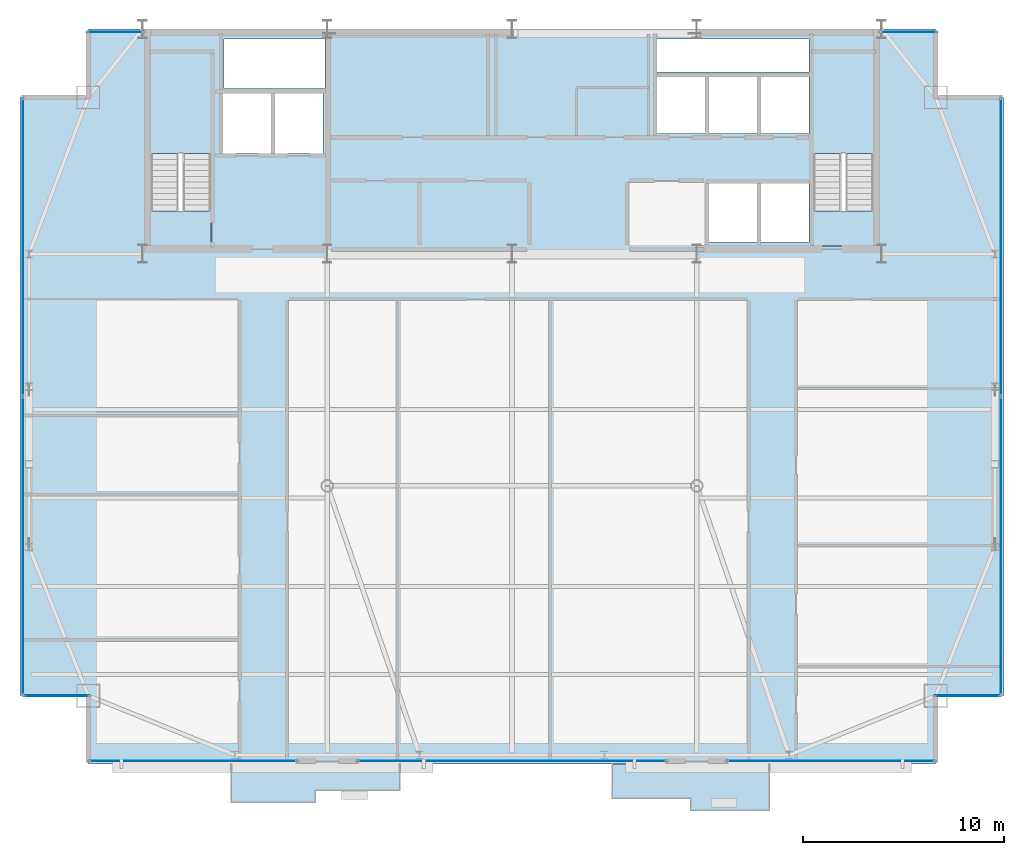
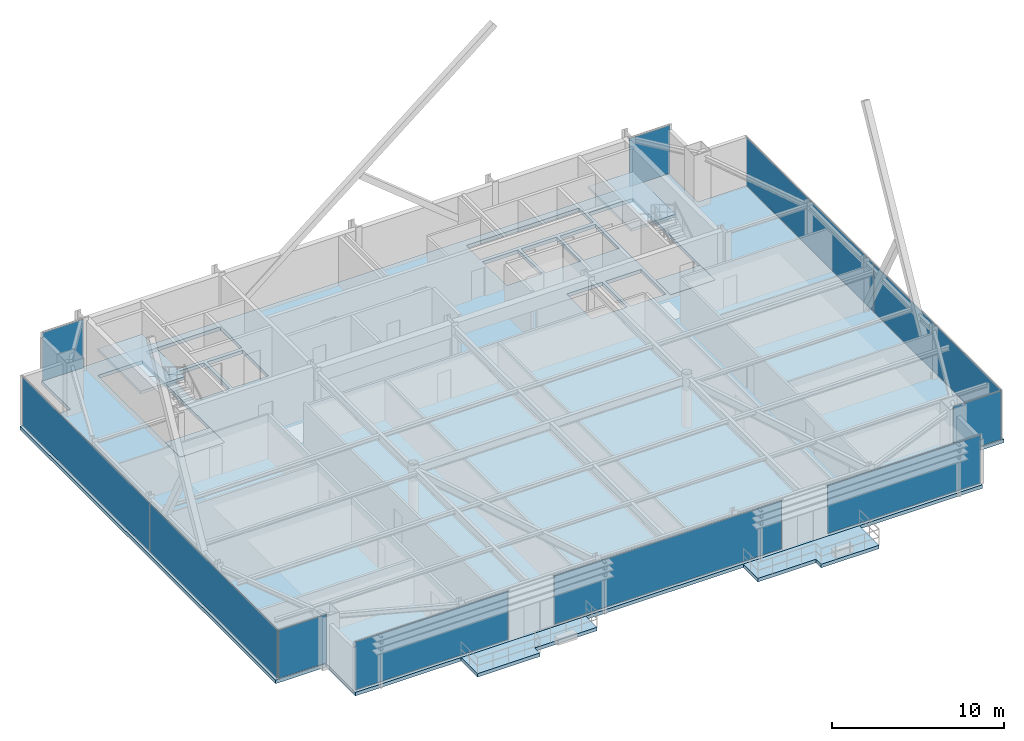
# One storey, part 24 of 31: 11 plates, 7 slabs, 11 elements without a shape of their own.
"""IFC4 building model written with IfcOpenShell, lengths in metres."""

import ifcopenshell
import ifcopenshell.guid

model = None  # the IFC model being written
_history = None  # IfcOwnerHistory: only IFC2X3 demands one
_inside = {}  # id of a spatial element -> (the spatial element, [elements in it])
_under = {}  # id of a project, library or spatial element -> (it, [spatial elements below it])
_declared = {}  # id of a project -> (the project, [libraries it declares])
_typed = {}  # id of a type object -> (the type object, [elements of that type])
_made_of = {}  # id of a material, layer set ... -> (it, [elements and type objects made of it])


def new_model(schema):
    """Start an empty IFC model of exactly this schema.

    Asked for "IFC4X3", IfcOpenShell would pick the latest addendum, in which some entities
    have other attributes; the version numbers below select the first issue.
    IFC2X3 requires an IfcOwnerHistory on every rooted entity: one is made here for all.
    """
    global model, _history
    if schema == "IFC4X3":
        model = ifcopenshell.file(schema_version=(4, 3, 0, 0))
    else:
        model = ifcopenshell.file(schema=schema)
    _inside.clear()
    _under.clear()
    _declared.clear()
    _typed.clear()
    _made_of.clear()
    _history = None
    if model.schema == "IFC2X3":
        org = make("IfcOrganization", Name="unknown")
        user = make(
            "IfcPersonAndOrganization",
            ThePerson=make("IfcPerson", FamilyName="unknown"),
            TheOrganization=org,
        )
        app = make(
            "IfcApplication",
            ApplicationDeveloper=org,
            Version="unknown",
            ApplicationFullName="unknown",
            ApplicationIdentifier="unknown",
        )
        _history = make(
            "IfcOwnerHistory",
            OwningUser=user,
            OwningApplication=app,
            ChangeAction="ADDED",
            CreationDate=0,
        )
    return model


def make(cls, **values):
    """One entity of the class cls with the attributes given. An attribute that is None is left unset."""
    return model.create_entity(
        cls, **{name: value for name, value in values.items() if value is not None}
    )


def rooted(cls, **values):
    """An entity with a GlobalId (a new one), such as an element, a storey or a relation."""
    return make(cls, GlobalId=ifcopenshell.guid.new(), OwnerHistory=_history, **values)


def si_unit(unit_type, name, prefix=None):
    """IfcSIUnit, for example si_unit("LENGTHUNIT", "METRE", prefix="MILLI")."""
    return make("IfcSIUnit", UnitType=unit_type, Prefix=prefix, Name=name)


def assignment(units):
    """IfcUnitAssignment: the units of a project."""
    return None if units is None else make("IfcUnitAssignment", Units=units)


def point(xyz):
    """IfcCartesianPoint."""
    return None if xyz is None else make("IfcCartesianPoint", Coordinates=xyz)


def direction(xyz):
    """IfcDirection."""
    return None if xyz is None else make("IfcDirection", DirectionRatios=xyz)


def frame(location, z_axis=None, x_axis=None):
    """IfcAxis2Placement3D, a coordinate frame: its origin and axes. An axis left out is left unset."""
    return make(
        "IfcAxis2Placement3D",
        Location=point(location),
        Axis=direction(z_axis),
        RefDirection=direction(x_axis),
    )


def frame_2d(location, x_axis=None):
    """IfcAxis2Placement2D, a coordinate frame in the plane: its origin and x axis."""
    return make(
        "IfcAxis2Placement2D", Location=point(location), RefDirection=direction(x_axis)
    )


def origin():
    """The frame at (0, 0, 0) with its axes left unset."""
    return frame((0.0, 0.0, 0.0))


def origin_2d():
    """The frame at (0, 0) in the plane with its x axis left unset."""
    return frame_2d((0.0, 0.0))


def place(relative_to, where):
    """IfcLocalPlacement: puts the frame where relative to a parent placement (None: the world)."""
    return make(
        "IfcLocalPlacement", PlacementRelTo=relative_to, RelativePlacement=where
    )


def context(
    kind, dimensions, precision=None, world=None, true_north=None, identifier=None
):
    """IfcGeometricRepresentationContext, for example the 3D "Model" context."""
    return make(
        "IfcGeometricRepresentationContext",
        ContextIdentifier=identifier,
        ContextType=kind,
        CoordinateSpaceDimension=dimensions,
        Precision=precision,
        WorldCoordinateSystem=world,
        TrueNorth=true_north,
    )


def subcontext(parent, identifier, kind, view, scale=None):
    """IfcGeometricRepresentationSubContext, for example "Body" below "Model"."""
    return make(
        "IfcGeometricRepresentationSubContext",
        ContextIdentifier=identifier,
        ContextType=kind,
        ParentContext=parent,
        TargetScale=scale,
        TargetView=view,
    )


def project(units=None, contexts=None):
    """IfcProject with its units and contexts."""
    return rooted(
        "IfcProject",
        Name="project",
        RepresentationContexts=contexts,
        UnitsInContext=assignment(units),
    )


def spatial(cls, under=None, at=None, **own):
    """A site, building, storey or space (cls), placed at a placement, below another one or the project."""
    s = rooted(cls, ObjectPlacement=at, **own)
    if under is not None:
        _under.setdefault(under.id(), (under, []))[1].append(s)
    return s


def polyline(points):
    """IfcPolyline through the points."""
    return make("IfcPolyline", Points=[point(p) for p in points])


def profile(cls, at=None, kind="AREA", **sizes):
    """A parametric profile (cls). Its sizes go by their IFC names, for example OverallWidth=200.0."""
    return make(cls, ProfileType=kind, Position=at, **sizes)


def rectangle(**sizes):
    """IfcRectangleProfileDef."""
    return profile("IfcRectangleProfileDef", **sizes)


def outline(outer, holes=None, kind="AREA"):
    """IfcArbitraryClosedProfileDef: a profile drawn as a closed curve; with holes, ...WithVoids."""
    if holes is None:
        return make("IfcArbitraryClosedProfileDef", ProfileType=kind, OuterCurve=outer)
    return make(
        "IfcArbitraryProfileDefWithVoids",
        ProfileType=kind,
        OuterCurve=outer,
        InnerCurves=holes,
    )


def extrude(swept, where, along, depth):
    """IfcExtrudedAreaSolid: the profile swept, set in the frame where, extruded along a direction by depth."""
    return make(
        "IfcExtrudedAreaSolid",
        SweptArea=swept,
        Position=where,
        ExtrudedDirection=direction(along),
        Depth=depth,
    )


def shape(context_of_items, identifier, shape_type, items):
    """IfcShapeRepresentation: the items that make up one representation, for example the "Body"."""
    return make(
        "IfcShapeRepresentation",
        ContextOfItems=context_of_items,
        RepresentationIdentifier=identifier,
        RepresentationType=shape_type,
        Items=items,
    )


def source(mapping_origin, context_of_items, identifier, shape_type, items):
    """IfcRepresentationMap: a shape defined once, which mapped items show again and again."""
    return make(
        "IfcRepresentationMap",
        MappingOrigin=mapping_origin,
        MappedRepresentation=shape(context_of_items, identifier, shape_type, items),
    )


def transform(
    local_origin,
    x_axis=None,
    y_axis=None,
    z_axis=None,
    scale=None,
    scale2=None,
    scale3=None,
    uniform=True,
):
    """IfcCartesianTransformationOperator3D, or its non-uniform kind. x_axis, y_axis, z_axis: its Axis1, 2, 3."""
    if uniform:
        return make(
            "IfcCartesianTransformationOperator3D",
            Axis1=direction(x_axis),
            Axis2=direction(y_axis),
            LocalOrigin=point(local_origin),
            Scale=scale,
            Axis3=direction(z_axis),
        )
    return make(
        "IfcCartesianTransformationOperator3DnonUniform",
        Axis1=direction(x_axis),
        Axis2=direction(y_axis),
        LocalOrigin=point(local_origin),
        Scale=scale,
        Axis3=direction(z_axis),
        Scale2=scale2,
        Scale3=scale3,
    )


def mapped(mapping_source, mapping_target):
    """IfcMappedItem: shows the shape of a source again, moved by a transform."""
    return make(
        "IfcMappedItem", MappingSource=mapping_source, MappingTarget=mapping_target
    )


def material(Name=None, Category=None):
    """IfcMaterial."""
    return make("IfcMaterial", Name=Name, Category=Category)


def layer(
    of_material, thickness, ventilated=None, Name=None, Category=None, Priority=None
):
    """IfcMaterialLayer: one layer of a wall or slab, of a material (None: an air gap)."""
    return make(
        "IfcMaterialLayer",
        Material=of_material,
        LayerThickness=thickness,
        IsVentilated=ventilated,
        Name=Name,
        Category=Category,
        Priority=Priority,
    )


def layer_set(layers, Name=None):
    """IfcMaterialLayerSet."""
    return make("IfcMaterialLayerSet", MaterialLayers=layers, LayerSetName=Name)


def made_of(thing, what):
    """Note that an element or type object is made of a material, layer set ...; save() writes the relation."""
    if what is not None:
        _made_of.setdefault(what.id(), (what, []))[1].append(thing)
    return thing


def type_object(cls, material=None, **own):
    """A type object (cls), such as IfcWallType, which elements share."""
    return made_of(rooted(cls, **own), material)


def type_shapes(of_type, sources):
    """Give a type object the sources (RepresentationMaps) that its elements show as mapped items."""
    of_type.RepresentationMaps = sources


def element(
    cls,
    number,
    at=None,
    inside=None,
    cuts=None,
    type_object=None,
    material=None,
    context=None,
    identifier="Body",
    shape_type=None,
    held_by="IfcProductDefinitionShape",
    body=None,
    shapes=None,
    **own,
):
    """One element of the class cls, such as IfcWall. Its Tag is "e" and its number.

    at: its placement. inside: the storey or other place that contains it. cuts: it is an
    opening in that element (IfcRelVoidsElement). A single representation is given by context,
    identifier, shape_type and body (its items); several are given by shapes. held_by: the class
    of the entity that holds the representations. save() writes the other relations.
    """
    e = rooted(cls, Tag="e%d" % number, ObjectPlacement=at, **own)
    if body is not None:
        shapes = [shape(context, identifier, shape_type, body)]
    if shapes is not None:
        e.Representation = make(held_by, Representations=shapes)
    if inside is not None:
        _inside.setdefault(inside.id(), (inside, []))[1].append(e)
    if cuts is not None:
        rooted(
            "IfcRelVoidsElement", RelatingBuildingElement=cuts, RelatedOpeningElement=e
        )
    if type_object is not None:
        _typed.setdefault(type_object.id(), (type_object, []))[1].append(e)
    return made_of(e, material)


def aggregate(whole, parts):
    """IfcRelAggregates: a whole, such as a stair, and the parts it consists of."""
    return rooted("IfcRelAggregates", RelatingObject=whole, RelatedObjects=parts)


def save(model, path):
    """Write the relations noted so far, then the file.

    IfcRelAggregates (storeys below a building ...), IfcRelContainedInSpatialStructure (elements
    in a storey), IfcRelDefinesByType, IfcRelAssociatesMaterial and IfcRelDeclares: one each for
    every whole, place, type object, material and project.
    """
    for whole, parts in _under.values():
        aggregate(whole, parts)
    for where, things in _inside.values():
        rooted(
            "IfcRelContainedInSpatialStructure",
            RelatedElements=things,
            RelatingStructure=where,
        )
    for kind, things in _typed.values():
        rooted("IfcRelDefinesByType", RelatedObjects=things, RelatingType=kind)
    for what, things in _made_of.values():
        rooted("IfcRelAssociatesMaterial", RelatedObjects=things, RelatingMaterial=what)
    for by, libraries in _declared.values():
        rooted("IfcRelDeclares", RelatingContext=by, RelatedDefinitions=libraries)
    model.write(path)


model = new_model("IFC4")

# Units and contexts
model_context = context("Model", 3, precision=1e-05, world=origin(), true_north=direction((0.0, 1.0)))
body_context = subcontext(model_context, "Body", "Model", "MODEL_VIEW")
ifc_project = project(units=[si_unit("LENGTHUNIT", "METRE"), si_unit("AREAUNIT", "SQUARE_METRE"), si_unit("VOLUMEUNIT", "CUBIC_METRE"), si_unit("PLANEANGLEUNIT", "RADIAN"), si_unit("MASSUNIT", "GRAM", prefix="KILO")], contexts=[model_context])

# Site, building, storey
site_placement = place(None, origin())
site = spatial("IfcSite", under=ifc_project, at=site_placement, CompositionType="ELEMENT")
building_placement = place(site_placement, origin())
building = spatial("IfcBuilding", under=site, at=building_placement, Name="Varnel Quay Broadcast Tower", CompositionType="ELEMENT")
storey_placement = place(building_placement, frame((0.0, 0.0, 215.0)))
storey = spatial("IfcBuildingStorey", under=building, at=storey_placement, Name="L53", CompositionType="ELEMENT", Elevation=215.0)

# Slabs
ifc_material_1 = material(Name="Concrete CSA A23.3 C40/50", Category="concrete")
ifc_layer_1 = layer(ifc_material_1, 0.25, Name="Concrete CSA A23.3 C40/50")
ifc_layer_set_1 = layer_set([ifc_layer_1], Name="Concrete CSA A23.3 C40/50")
slab_type_1 = type_object("IfcSlabType", Name="Slab_ExtTerrace250", PredefinedType="FLOOR", material=ifc_layer_set_1)
slab_1_placement = place(storey_placement, frame((0.0, 0.0, -0.25)))
element("IfcSlab", 1, at=slab_1_placement, inside=storey, type_object=slab_type_1, Name="L53 Planted Lobe Terrace Slab 1", PredefinedType="FLOOR", context=body_context, shape_type="SweptSolid", body=[
    extrude(outline(polyline([(20.010009765625, 8.297119140625), (24.2099609375, 8.297119140625), (24.2099609375, 8.89697265625), (28.409912109375, 8.89697265625), (28.409912109375, 10.199951171875), (20.010009765625, 10.199951171875), (20.010009765625, 8.297119140625)])), origin(), (0.0, 0.0, 1.0), 0.25),
])
slab_2_placement = place(storey_placement, frame((0.0, 0.0, -0.25)))
element("IfcSlab", 2, at=slab_2_placement, inside=storey, type_object=slab_type_1, Name="L53 Planted Lobe Terrace Slab 2", PredefinedType="FLOOR", context=body_context, shape_type="SweptSolid", body=[
    extrude(outline(polyline([(39.0, 8.5029296875), (42.905029296875, 8.5029296875), (42.905029296875, 7.903076171875), (46.81005859375, 7.903076171875), (46.81005859375, 10.199951171875), (39.0, 10.199951171875), (39.0, 8.5029296875)])), origin(), (0.0, 0.0, 1.0), 0.25),
])
ifc_material_2 = material(Name="Concrete CSA A23.3 C50/60", Category="concrete")
ifc_layer_2 = layer(ifc_material_2, 0.25, Name="Concrete CSA A23.3 C50/60")
ifc_layer_set_2 = layer_set([ifc_layer_2], Name="Concrete CSA A23.3 C50/60")
slab_type_2 = type_object("IfcSlabType", Name="Slab_Floor250", PredefinedType="FLOOR", material=ifc_layer_set_2)
slab_3_placement = place(storey_placement, frame((0.0, 0.0, -0.25)))
element("IfcSlab", 3, at=slab_3_placement, inside=storey, type_object=slab_type_2, Name="L53 Structural Slab", PredefinedType="FLOOR", context=body_context, shape_type="SweptSolid", body=[
    extrude(outline(polyline([(12.89990234375, 10.199951171875), (55.10009765625, 10.199951171875), (55.10009765625, 13.60009765625), (58.5, 13.60009765625), (58.5, 43.39990234375), (55.10009765625, 43.39990234375), (55.10009765625, 46.800048828125), (12.89990234375, 46.800048828125), (12.89990234375, 43.39990234375), (9.5, 43.39990234375), (9.5, 13.60009765625), (12.89990234375, 13.60009765625), (12.89990234375, 10.199951171875)]), holes=[polyline([(19.0, 36.0), (16.0, 36.0), (16.0, 45.60009765625), (19.0, 45.60009765625), (19.0, 36.0)]), polyline([(19.60009765625, 40.60009765625), (19.60009765625, 43.60009765625), (22.0, 43.60009765625), (22.0, 40.60009765625), (19.60009765625, 40.60009765625)]), polyline([(22.199951171875, 40.60009765625), (22.199951171875, 43.60009765625), (24.60009765625, 43.60009765625), (24.60009765625, 40.60009765625), (22.199951171875, 40.60009765625)]), polyline([(41.199951171875, 44.39990234375), (43.60009765625, 44.39990234375), (43.60009765625, 41.60009765625), (41.199951171875, 41.60009765625), (41.199951171875, 44.39990234375)]), polyline([(43.800048828125, 44.39990234375), (46.199951171875, 44.39990234375), (46.199951171875, 41.60009765625), (43.800048828125, 41.60009765625), (43.800048828125, 44.39990234375)]), polyline([(19.64990234375, 43.85009765625), (19.64990234375, 46.300048828125), (24.679931640625, 46.300048828125), (24.679931640625, 43.85009765625), (19.64990234375, 43.85009765625)]), polyline([(43.800048828125, 39.10009765625), (46.199951171875, 39.10009765625), (46.199951171875, 36.199951171875), (43.800048828125, 36.199951171875), (43.800048828125, 39.10009765625)]), polyline([(46.39990234375, 39.10009765625), (48.800048828125, 39.10009765625), (48.800048828125, 36.199951171875), (46.39990234375, 36.199951171875), (46.39990234375, 39.10009765625)]), polyline([(52.0, 36.0), (49.0, 36.0), (49.0, 45.60009765625), (52.0, 45.60009765625), (52.0, 36.0)]), polyline([(46.39990234375, 44.39990234375), (48.800048828125, 44.39990234375), (48.800048828125, 41.60009765625), (46.39990234375, 41.60009765625), (46.39990234375, 44.39990234375)]), polyline([(41.199951171875, 46.300048828125), (48.800048828125, 46.300048828125), (48.800048828125, 44.64990234375), (41.199951171875, 44.64990234375), (41.199951171875, 46.300048828125)])]), origin(), (0.0, 0.0, 1.0), 0.25),
])
ifc_layer_3 = layer(ifc_material_2, 0.25, Name="Concrete CSA A23.3 C50/60")
ifc_layer_set_3 = layer_set([ifc_layer_3], Name="Concrete CSA A23.3 C50/60")
slab_type_3 = type_object("IfcSlabType", Name="Slab_StairFloorLanding250", PredefinedType="FLOOR", material=ifc_layer_set_3)
slab_4_placement = place(storey_placement, frame((0.0, 0.0, -0.25)))
element("IfcSlab", 4, at=slab_4_placement, inside=storey, type_object=slab_type_3, Name="L53 ST-01 Structural Floor Landing Slab", PredefinedType="FLOOR", context=body_context, shape_type="SweptSolid", body=[
    extrude(outline(polyline([(19.0, 36.0), (19.0, 37.75), (16.0, 37.75), (16.0, 36.0), (19.0, 36.0)])), origin(), (0.0, 0.0, 1.0), 0.25),
])
slab_5_placement = place(storey_placement, frame((0.0, 0.0, -0.25)))
element("IfcSlab", 5, at=slab_5_placement, inside=storey, type_object=slab_type_3, Name="L53 ST-02 Structural Floor Landing Slab", PredefinedType="FLOOR", context=body_context, shape_type="SweptSolid", body=[
    extrude(outline(polyline([(52.0, 36.0), (52.0, 37.75), (49.0, 37.75), (49.0, 36.0), (52.0, 36.0)])), origin(), (0.0, 0.0, 1.0), 0.25),
])

# Stair, slab
ifc_material_3 = material(Name="Precast Structural Concrete C40/50", Category="concrete")
stair_type_1 = type_object("IfcStairType", Name="Stair_ST-01", PredefinedType="HALF_TURN_STAIR", material=ifc_material_3)
stair_1_placement = place(storey_placement, origin())
stair_1 = element("IfcStair", 6, at=stair_1_placement, inside=storey, type_object=stair_type_1, Name="L53 West Core Exit Stair 1", PredefinedType="HALF_TURN_STAIR")
ifc_layer_4 = layer(ifc_material_3, 0.199951171875, Name="Precast Structural Concrete C40/50")
ifc_layer_set_4 = layer_set([ifc_layer_4], Name="Precast Structural Concrete C40/50")
slab_type_4 = type_object("IfcSlabType", Name="Slab_StairLanding200", PredefinedType="LANDING", material=ifc_layer_set_4)
slab_6_placement = place(storey_placement, frame((0.0, 0.0, 1.699951171875)))
slab_6 = element("IfcSlab", 7, at=slab_6_placement, type_object=slab_type_4, Name="ST-01 landing 1", PredefinedType="LANDING", context=body_context, shape_type="SweptSolid", body=[
    extrude(outline(polyline([(19.0, 40.60009765625), (19.0, 45.60009765625), (16.0, 45.60009765625), (16.0, 40.60009765625), (19.0, 40.60009765625)])), origin(), (0.0, 0.0, 1.0), 0.199951171875),
])
aggregate(stair_1, [slab_6])

stair_type_2 = type_object("IfcStairType", Name="Stair_ST-02", PredefinedType="HALF_TURN_STAIR", material=ifc_material_3)
stair_2_placement = place(storey_placement, origin())
stair_2 = element("IfcStair", 8, at=stair_2_placement, inside=storey, type_object=stair_type_2, Name="L53 East Core Exit Stair 2", PredefinedType="HALF_TURN_STAIR")
slab_7_placement = place(storey_placement, frame((0.0, 0.0, 1.699951171875)))
slab_7 = element("IfcSlab", 9, at=slab_7_placement, type_object=slab_type_4, Name="ST-02 landing 1", PredefinedType="LANDING", context=body_context, shape_type="SweptSolid", body=[
    extrude(outline(polyline([(52.0, 40.60009765625), (52.0, 45.60009765625), (49.0, 45.60009765625), (49.0, 40.60009765625), (52.0, 40.60009765625)])), origin(), (0.0, 0.0, 1.0), 0.199951171875),
])
aggregate(stair_2, [slab_7])

# Curtain wall, plate
ifc_material_4 = material(Name="Anodised Bronze Aluminium 6063-T6", Category="aluminium")
ifc_layer_5 = layer(ifc_material_4, 0.18994140625, Name="Anodised Bronze Aluminium 6063-T6")
ifc_layer_set_5 = layer_set([ifc_layer_5], Name="Anodised Bronze Aluminium 6063-T6")
curtain_wall_type_1 = type_object("IfcCurtainWallType", Name="CW_UpperTower", PredefinedType="NOTDEFINED", material=ifc_layer_set_5)
curtain_wall_1_placement = place(storey_placement, origin())
curtain_wall_1 = element("IfcCurtainWall", 10, at=curtain_wall_1_placement, inside=storey, type_object=curtain_wall_type_1, Name="L53 South Unitised Curtain Wall 1", PredefinedType="NOTDEFINED")
ifc_material_5 = material(Name="Triple-Glazed Bronze Low-E Architectural Glass", Category="glass")
ifc_layer_6 = layer(ifc_material_5, 0.030029296875, Name="Triple-Glazed Bronze Low-E Architectural Glass")
ifc_layer_set_6 = layer_set([ifc_layer_6], Name="Triple-Glazed Bronze Low-E Architectural Glass")
plate_type_1 = type_object("IfcPlateType", Name="Panel_CWS-03", PredefinedType="CURTAIN_PANEL", material=ifc_layer_set_6)
shared_shape_1 = source(origin(), body_context, "Body", "SweptSolid", [
    extrude(rectangle(XDim=10.2900390625, YDim=0.030029296875, at=origin_2d()), origin(), (0.0, 0.0, 1.0), 3.429931640625),
])
plate_1_placement = place(storey_placement, frame((18.110107421875, 10.35009765625, 0.06005859375), z_axis=(0.0, 0.0, 1.0), x_axis=(1.0, 0.0, 0.0)))
plate_1 = element("IfcPlate", 11, at=plate_1_placement, type_object=plate_type_1, Name="CWS-03 panel 1.1", PredefinedType="CURTAIN_PANEL", context=body_context, shape_type="MappedRepresentation", body=[
    mapped(shared_shape_1, transform((0.0, 0.0, 0.0), x_axis=(1.0, 0.0, 0.0), y_axis=(0.0, 1.0, 0.0), z_axis=(0.0, 0.0, 1.0), scale=1.0)),
])
aggregate(curtain_wall_1, [plate_1])

curtain_wall_2_placement = place(storey_placement, origin())
curtain_wall_2 = element("IfcCurtainWall", 12, at=curtain_wall_2_placement, inside=storey, type_object=curtain_wall_type_1, Name="L53 South Unitised Curtain Wall 3", PredefinedType="NOTDEFINED")
plate_2_placement = place(storey_placement, frame((49.889892578125, 10.35009765625, 0.06005859375), z_axis=(0.0, 0.0, 1.0), x_axis=(1.0, 0.0, 0.0)))
plate_2 = element("IfcPlate", 13, at=plate_2_placement, type_object=plate_type_1, Name="CWS-03 panel 1.1", PredefinedType="CURTAIN_PANEL", context=body_context, shape_type="MappedRepresentation", body=[
    mapped(shared_shape_1, transform((0.0, 0.0, 0.0), x_axis=(1.0, 0.0, 0.0), y_axis=(0.0, 1.0, 0.0), z_axis=(0.0, 0.0, 1.0), scale=1.0)),
])
aggregate(curtain_wall_2, [plate_2])

# Curtain wall, plates
curtain_wall_3_placement = place(storey_placement, origin())
curtain_wall_3 = element("IfcCurtainWall", 14, at=curtain_wall_3_placement, inside=storey, type_object=curtain_wall_type_1, Name="L53 West Unitised Curtain Wall", PredefinedType="NOTDEFINED")
ifc_material_6 = material(Name="Insulated Bronze Spandrel Glass", Category="glass")
ifc_layer_7 = layer(ifc_material_6, 0.030029296875, Name="Insulated Bronze Spandrel Glass")
ifc_layer_set_7 = layer_set([ifc_layer_7], Name="Insulated Bronze Spandrel Glass")
plate_type_2 = type_object("IfcPlateType", Name="PanelSp_CWS-03", PredefinedType="CURTAIN_PANEL", material=ifc_layer_set_7)
shared_shape_2 = source(origin(), body_context, "Body", "SweptSolid", [
    extrude(rectangle(XDim=14.802490234375, YDim=0.030029296875, at=origin_2d()), origin(), (0.0, 0.0, 1.0), 3.429931640625),
])
type_shapes(plate_type_2, [shared_shape_2])
plate_3_placement = place(storey_placement, frame((9.64990234375, 21.066162109375, 0.06005859375), z_axis=(0.0, 0.0, 1.0), x_axis=(0.0, 1.0, 0.0)))
plate_3 = element("IfcPlate", 15, at=plate_3_placement, type_object=plate_type_2, Name="CWS-03 panel 1.1", PredefinedType="CURTAIN_PANEL", context=body_context, shape_type="MappedRepresentation", body=[
    mapped(shared_shape_2, transform((0.0, 0.0, 0.0), x_axis=(1.0, 0.0, 0.0), y_axis=(0.0, 1.0, 0.0), z_axis=(0.0, 0.0, 1.0), scale=1.0)),
])
plate_4_placement = place(storey_placement, frame((9.64990234375, 35.933837890625, 0.06005859375), z_axis=(0.0, 0.0, 1.0), x_axis=(0.0, 1.0, 0.0)))
plate_4 = element("IfcPlate", 16, at=plate_4_placement, type_object=plate_type_2, Name="CWS-03 panel 2.1", PredefinedType="CURTAIN_PANEL", context=body_context, shape_type="MappedRepresentation", body=[
    mapped(shared_shape_2, transform((0.0, 0.0, 0.0), x_axis=(1.0, 0.0, 0.0), y_axis=(0.0, 1.0, 0.0), z_axis=(0.0, 0.0, 1.0), scale=1.0)),
])
aggregate(curtain_wall_3, [plate_3, plate_4])

curtain_wall_4_placement = place(storey_placement, origin())
curtain_wall_4 = element("IfcCurtainWall", 17, at=curtain_wall_4_placement, inside=storey, type_object=curtain_wall_type_1, Name="L53 East Unitised Curtain Wall", PredefinedType="NOTDEFINED")
plate_5_placement = place(storey_placement, frame((58.35009765625, 21.066162109375, 0.06005859375), z_axis=(0.0, 0.0, 1.0), x_axis=(0.0, 1.0, 0.0)))
plate_5 = element("IfcPlate", 18, at=plate_5_placement, type_object=plate_type_2, Name="CWS-03 panel 1.1", PredefinedType="CURTAIN_PANEL", context=body_context, shape_type="MappedRepresentation", body=[
    mapped(shared_shape_2, transform((0.0, 0.0, 0.0), x_axis=(1.0, 0.0, 0.0), y_axis=(0.0, 1.0, 0.0), z_axis=(0.0, 0.0, 1.0), scale=1.0)),
])
plate_6_placement = place(storey_placement, frame((58.35009765625, 35.933837890625, 0.06005859375), z_axis=(0.0, 0.0, 1.0), x_axis=(0.0, 1.0, 0.0)))
plate_6 = element("IfcPlate", 19, at=plate_6_placement, type_object=plate_type_2, Name="CWS-03 panel 2.1", PredefinedType="CURTAIN_PANEL", context=body_context, shape_type="MappedRepresentation", body=[
    mapped(shared_shape_2, transform((0.0, 0.0, 0.0), x_axis=(1.0, 0.0, 0.0), y_axis=(0.0, 1.0, 0.0), z_axis=(0.0, 0.0, 1.0), scale=1.0)),
])
aggregate(curtain_wall_4, [plate_5, plate_6])

# Curtain wall, plate
ifc_layer_8 = layer(ifc_material_4, 0.18994140625, Name="Anodised Bronze Aluminium 6063-T6")
ifc_layer_set_8 = layer_set([ifc_layer_8], Name="Anodised Bronze Aluminium 6063-T6")
curtain_wall_type_2 = type_object("IfcCurtainWallType", Name="CW_NotchCorner", PredefinedType="NOTDEFINED", material=ifc_layer_set_8)
curtain_wall_5_placement = place(storey_placement, origin())
curtain_wall_5 = element("IfcCurtainWall", 20, at=curtain_wall_5_placement, inside=storey, type_object=curtain_wall_type_2, Name="L53 SW Notch Curtain Wall", PredefinedType="NOTDEFINED")
ifc_layer_9 = layer(ifc_material_5, 0.028076171875, Name="Triple-Glazed Bronze Low-E Architectural Glass")
ifc_layer_set_9 = layer_set([ifc_layer_9], Name="Triple-Glazed Bronze Low-E Architectural Glass")
plate_type_3 = type_object("IfcPlateType", Name="Panel_CWS-04", PredefinedType="CURTAIN_PANEL", material=ifc_layer_set_9)
shared_shape_3 = source(origin(), body_context, "Body", "SweptSolid", [
    extrude(rectangle(XDim=3.2099609375, YDim=0.028076171875, at=origin_2d()), origin(), (0.0, 0.0, 1.0), 3.43994140625),
])
type_shapes(plate_type_3, [shared_shape_3])
plate_7_placement = place(storey_placement, frame((11.31494140625, 13.60009765625, 0.054931640625), z_axis=(0.0, 0.0, 1.0), x_axis=(1.0, 0.0, 0.0)))
plate_7 = element("IfcPlate", 21, at=plate_7_placement, type_object=plate_type_3, Name="CWS-04 panel 1.1", PredefinedType="CURTAIN_PANEL", context=body_context, shape_type="MappedRepresentation", body=[
    mapped(shared_shape_3, transform((0.0, 0.0, 0.0), x_axis=(1.0, 0.0, 0.0), y_axis=(0.0, 1.0, 0.0), z_axis=(0.0, 0.0, 1.0), scale=1.0)),
])
aggregate(curtain_wall_5, [plate_7])

curtain_wall_6_placement = place(storey_placement, origin())
curtain_wall_6 = element("IfcCurtainWall", 22, at=curtain_wall_6_placement, inside=storey, type_object=curtain_wall_type_2, Name="L53 SE Notch Curtain Wall", PredefinedType="NOTDEFINED")
plate_8_placement = place(storey_placement, frame((56.68505859375, 13.60009765625, 0.054931640625), z_axis=(0.0, 0.0, 1.0), x_axis=(1.0, 0.0, 0.0)))
plate_8 = element("IfcPlate", 23, at=plate_8_placement, type_object=plate_type_3, Name="CWS-04 panel 1.1", PredefinedType="CURTAIN_PANEL", context=body_context, shape_type="MappedRepresentation", body=[
    mapped(shared_shape_3, transform((0.0, 0.0, 0.0), x_axis=(1.0, 0.0, 0.0), y_axis=(0.0, 1.0, 0.0), z_axis=(0.0, 0.0, 1.0), scale=1.0)),
])
aggregate(curtain_wall_6, [plate_8])

curtain_wall_7_placement = place(storey_placement, origin())
curtain_wall_7 = element("IfcCurtainWall", 24, at=curtain_wall_7_placement, inside=storey, type_object=curtain_wall_type_1, Name="L53 NW Wing Curtain Wall", PredefinedType="NOTDEFINED")
shared_shape_4 = source(origin(), body_context, "Body", "SweptSolid", [
    extrude(rectangle(XDim=2.75, YDim=0.030029296875, at=origin_2d()), origin(), (0.0, 0.0, 1.0), 3.429931640625),
])
plate_9_placement = place(storey_placement, frame((14.260009765625, 46.64990234375, 0.06005859375), z_axis=(0.0, 0.0, 1.0), x_axis=(1.0, 0.0, 0.0)))
plate_9 = element("IfcPlate", 25, at=plate_9_placement, type_object=plate_type_1, Name="CWS-03 panel 1.1", PredefinedType="CURTAIN_PANEL", context=body_context, shape_type="MappedRepresentation", body=[
    mapped(shared_shape_4, transform((0.0, 0.0, 0.0), x_axis=(1.0, 0.0, 0.0), y_axis=(0.0, 1.0, 0.0), z_axis=(0.0, 0.0, 1.0), scale=1.0)),
])
aggregate(curtain_wall_7, [plate_9])

curtain_wall_8_placement = place(storey_placement, origin())
curtain_wall_8 = element("IfcCurtainWall", 26, at=curtain_wall_8_placement, inside=storey, type_object=curtain_wall_type_1, Name="L53 NE Wing Curtain Wall", PredefinedType="NOTDEFINED")
plate_10_placement = place(storey_placement, frame((53.739990234375, 46.64990234375, 0.06005859375), z_axis=(0.0, 0.0, 1.0), x_axis=(1.0, 0.0, 0.0)))
plate_10 = element("IfcPlate", 27, at=plate_10_placement, type_object=plate_type_1, Name="CWS-03 panel 1.1", PredefinedType="CURTAIN_PANEL", context=body_context, shape_type="MappedRepresentation", body=[
    mapped(shared_shape_4, transform((0.0, 0.0, 0.0), x_axis=(1.0, 0.0, 0.0), y_axis=(0.0, 1.0, 0.0), z_axis=(0.0, 0.0, 1.0), scale=1.0)),
])
aggregate(curtain_wall_8, [plate_10])

curtain_wall_9_placement = place(storey_placement, origin())
curtain_wall_9 = element("IfcCurtainWall", 28, at=curtain_wall_9_placement, inside=storey, type_object=curtain_wall_type_1, Name="L53 South Unitised Curtain Wall 2", PredefinedType="NOTDEFINED")
shared_shape_5 = source(origin(), body_context, "Body", "SweptSolid", [
    extrude(rectangle(XDim=15.31005859375, YDim=0.030029296875, at=origin_2d()), origin(), (0.0, 0.0, 1.0), 3.429931640625),
])
type_shapes(plate_type_1, [shared_shape_1, shared_shape_4, shared_shape_5])
plate_11_placement = place(storey_placement, frame((34.0, 10.35009765625, 0.06005859375), z_axis=(0.0, 0.0, 1.0), x_axis=(1.0, 0.0, 0.0)))
plate_11 = element("IfcPlate", 29, at=plate_11_placement, type_object=plate_type_1, Name="CWS-03 panel 1.1", PredefinedType="CURTAIN_PANEL", context=body_context, shape_type="MappedRepresentation", body=[
    mapped(shared_shape_5, transform((0.0, 0.0, 0.0), x_axis=(1.0, 0.0, 0.0), y_axis=(0.0, 1.0, 0.0), z_axis=(0.0, 0.0, 1.0), scale=1.0)),
])
aggregate(curtain_wall_9, [plate_11])

save(model, "model.ifc")
